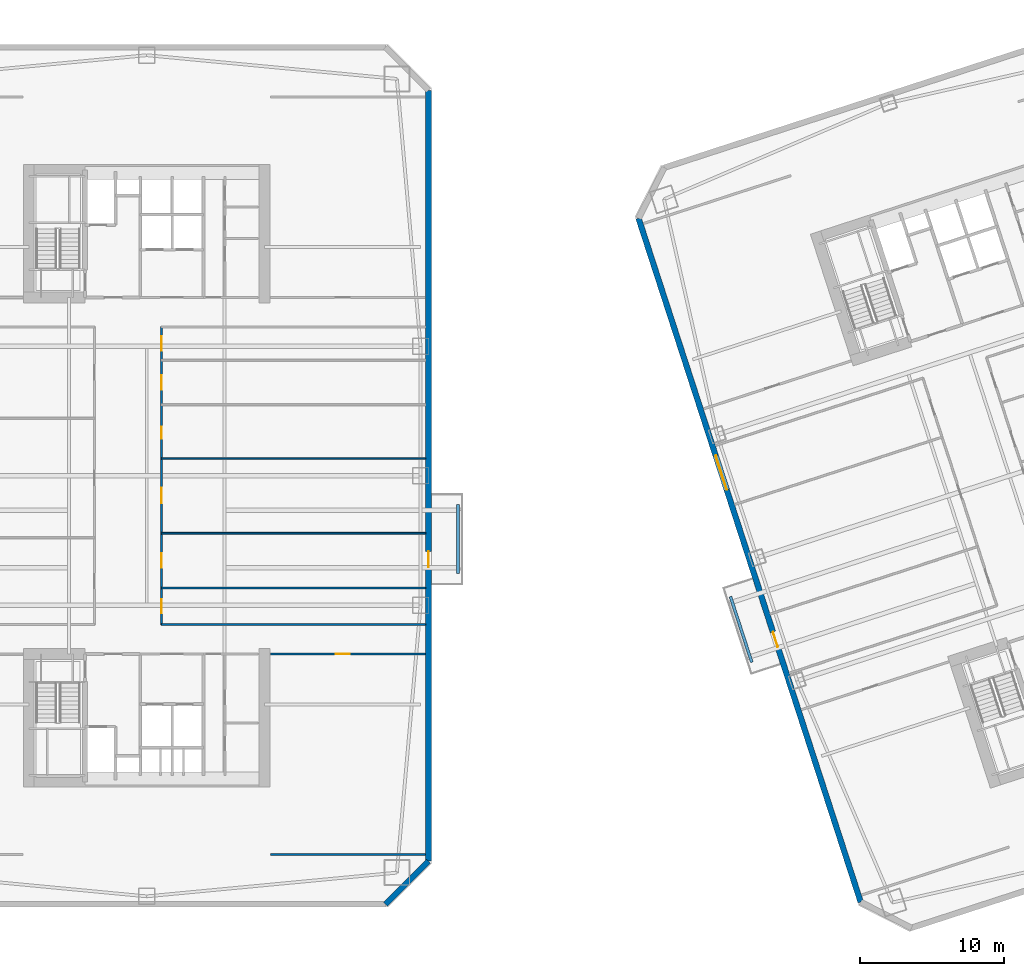
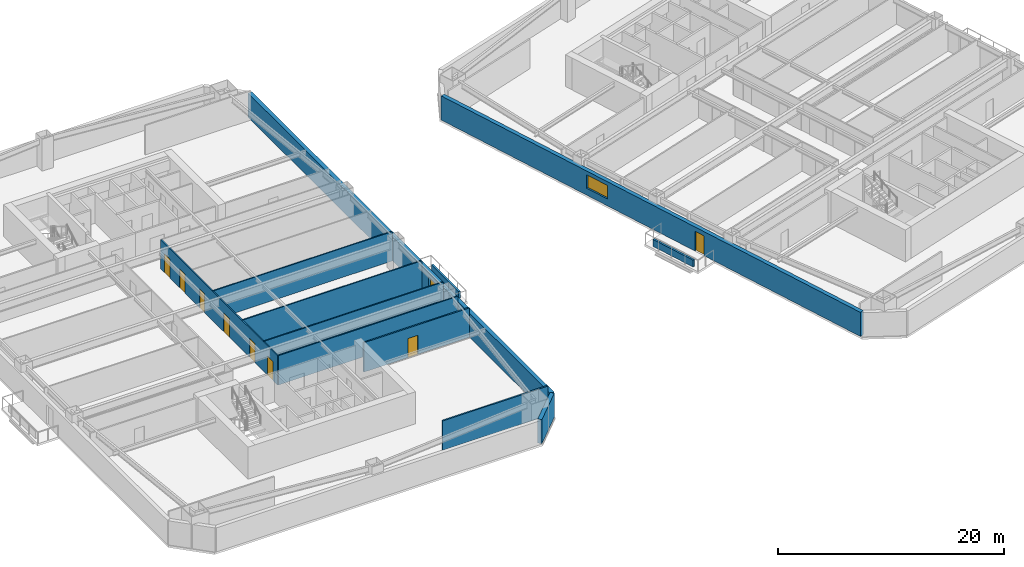
# One storey, part 5 of 15: 12 walls, 9 doors, 1 window, 10 openings.
"""IFC4 building model written with IfcOpenShell, lengths in metres."""

from ifc_helpers import new_model, si_unit, direction, frame, frame_2d, origin, place, context, subcontext, project, spatial, rectangle, extrude, material, layer, layer_set, type_object, element, fill, save


model = new_model("IFC4")

# Units and contexts
model_context = context("Model", 3, precision=1e-05, world=origin(), true_north=direction((0.0, 1.0)))
body_context = subcontext(model_context, "Body", "Model", "MODEL_VIEW")
ifc_project = project(units=[si_unit("LENGTHUNIT", "METRE"), si_unit("AREAUNIT", "SQUARE_METRE"), si_unit("VOLUMEUNIT", "CUBIC_METRE"), si_unit("PLANEANGLEUNIT", "RADIAN"), si_unit("MASSUNIT", "GRAM", prefix="KILO")], contexts=[model_context])

# Site, building, storey
site_placement = place(None, origin())
site = spatial("IfcSite", under=ifc_project, at=site_placement, CompositionType="ELEMENT")
building_placement = place(site_placement, origin())
building = spatial("IfcBuilding", under=site, at=building_placement, Name="Qiaolan Cultural Towers", CompositionType="ELEMENT")
storey_placement = place(building_placement, frame((0.0, 0.0, 60.949951171875)))
storey = spatial("IfcBuildingStorey", under=building, at=storey_placement, Name="L14", CompositionType="ELEMENT", Elevation=60.949951171875)

# Wall, opening, door
ifc_material_1 = material(Name="Precast Concrete C50 Honed Stone Pier", Category="masonry")
ifc_layer_1 = layer(ifc_material_1, 0.39990234375)
ifc_layer_set_1 = layer_set([ifc_layer_1], Name="Precast Concrete C50 Honed Stone Pier")
wall_type_1 = type_object("IfcWallType", Name="WL-EXT-PIER-400", PredefinedType="SOLIDWALL", material=ifc_layer_set_1)
wall_1_placement = place(storey_placement, frame((49.60009765625, 60.800048828125, 0.0), z_axis=(0.0, 0.0, 1.0), x_axis=(0.0, -1.0, 0.0)))
wall_1 = element("IfcWall", 1, at=wall_1_placement, inside=storey, type_object=wall_type_1, Name="L14 West Tower Precast Pier Facade Wall F5", PredefinedType="SOLIDWALL", context=body_context, shape_type="SweptSolid", body=[
    extrude(rectangle(XDim=53.60009765625, YDim=0.39990234375, at=frame_2d((26.800048828125, 0.0))), origin(), (0.0, 0.0, 1.0), 2.610107421875),
])
opening_1_placement = place(wall_1_placement, frame((32.050048828125, 0.0, 0.0)))
opening_1 = element("IfcOpeningElement", 2, at=opening_1_placement, cuts=wall_1, Name="Opening BD-01", PredefinedType="OPENING", context=body_context, shape_type="SweptSolid", body=[
    extrude(rectangle(XDim=1.10009765625, YDim=2.14990234375, at=frame_2d((0.550048828125, 1.074951171875))), frame((0.0, 0.2099609375, 0.0), z_axis=(0.0, -1.0, 0.0), x_axis=(1.0, 0.0, 0.0)), (0.0, 0.0, 1.0), 0.419921875),
])
ifc_material_2 = material(Name="Thermally Broken Aluminium Glazed Terrace Door", Category="aluminium")
door_type_1 = type_object("IfcDoorType", Name="DR-BAL-1100", OperationType="NOTDEFINED", PredefinedType="DOOR", material=ifc_material_2)
door_1_placement = place(opening_1_placement, origin())
door_1 = element("IfcDoor", 3, at=door_1_placement, inside=storey, type_object=door_type_1, Name="L14 T1 East Tree Balcony Door", OperationType="SINGLE_SWING_RIGHT", OverallHeight=2.14990234375, OverallWidth=1.10009765625, PredefinedType="DOOR", context=body_context, shape_type="SweptSolid", body=[
    extrude(rectangle(XDim=1.10009765625, YDim=2.14990234375, at=frame_2d((0.550048828125, 1.074951171875))), frame((0.0, 0.02490234375, 0.0), z_axis=(0.0, -1.0, 0.0), x_axis=(1.0, 0.0, 0.0)), (0.0, 0.0, 1.0), 0.050048828125),
])
fill(opening_1, door_1)

# Wall
wall_2_placement = place(storey_placement, frame((49.60009765625, 7.199951171875, 0.0), z_axis=(0.0, 0.0, 1.0), x_axis=(-0.707106781187, -0.707106781187, 0.0)))
element("IfcWall", 4, at=wall_2_placement, inside=storey, type_object=wall_type_1, Name="L14 West Tower Precast Pier Facade Wall F6", PredefinedType="SOLIDWALL", context=body_context, shape_type="SweptSolid", body=[
    extrude(rectangle(XDim=4.24267578125, YDim=0.39990234375, at=frame_2d((2.121337890625, 0.0))), origin(), (0.0, 0.0, 1.0), 2.610107421875),
])

# Wall, openings, door, window
wall_3_placement = place(storey_placement, frame((79.6552734375, 4.352294921875, 0.0), z_axis=(0.0, 0.0, 1.0), x_axis=(-0.309014526607, 0.951057318118, 0.0)))
wall_3 = element("IfcWall", 5, at=wall_3_placement, inside=storey, type_object=wall_type_1, Name="L14 East Tower Precast Pier Facade Wall F1", PredefinedType="SOLIDWALL", context=body_context, shape_type="SweptSolid", body=[
    extrude(rectangle(XDim=49.999755859375, YDim=0.39990234375, at=frame_2d((25.0, 0.0))), origin(), (0.0, 0.0, 1.0), 2.610107421875),
])
opening_2_placement = place(wall_3_placement, frame((30.14990234375, 0.0, 0.75)))
opening_2 = element("IfcOpeningElement", 6, at=opening_2_placement, cuts=wall_3, Name="Opening W-01", PredefinedType="OPENING", context=body_context, shape_type="SweptSolid", body=[
    extrude(rectangle(XDim=2.5, YDim=1.4599609375, at=frame_2d((1.25, 0.72998046875))), frame((0.0, 0.2099609375, 0.0), z_axis=(0.0, -1.0, 0.0), x_axis=(1.0, 0.0, 0.0)), (0.0, 0.0, 1.0), 0.419921875),
])
opening_3_placement = place(wall_3_placement, frame((18.64990234375, 0.0, 0.0)))
opening_3 = element("IfcOpeningElement", 7, at=opening_3_placement, cuts=wall_3, Name="Opening BD-01", PredefinedType="OPENING", context=body_context, shape_type="SweptSolid", body=[
    extrude(rectangle(XDim=1.10009765625, YDim=2.14990234375, at=frame_2d((0.550048828125, 1.074951171875))), frame((0.0, 0.2099609375, 0.0), z_axis=(0.0, -1.0, 0.0), x_axis=(1.0, 0.0, 0.0)), (0.0, 0.0, 1.0), 0.419921875),
])
door_2_placement = place(opening_3_placement, origin())
door_2 = element("IfcDoor", 8, at=door_2_placement, inside=storey, type_object=door_type_1, Name="L14 T2 West Tree Balcony Door", OperationType="SINGLE_SWING_LEFT", OverallHeight=2.14990234375, OverallWidth=1.10009765625, PredefinedType="DOOR", context=body_context, shape_type="SweptSolid", body=[
    extrude(rectangle(XDim=1.10009765625, YDim=2.14990234375, at=frame_2d((0.550048828125, 1.074951171875))), frame((0.0, 0.02490234375, 0.0), z_axis=(0.0, -1.0, 0.0), x_axis=(1.0, 0.0, 0.0)), (0.0, 0.0, 1.0), 0.050048828125),
])
fill(opening_3, door_2)
ifc_material_3 = material(Name="Thermally Broken Aluminium Triple Low-E Glazing", Category="aluminium")
window_type = type_object("IfcWindowType", Name="WN-CHIC-2500", PartitioningType="SINGLE_PANEL", PredefinedType="WINDOW", material=ifc_material_3)
window_placement = place(opening_2_placement, origin())
window = element("IfcWindow", 9, at=window_placement, inside=storey, type_object=window_type, Name="L14 T2 W Chicago Bay Window 1", OverallHeight=1.4599609375, OverallWidth=2.5, PartitioningType="TRIPLE_PANEL_VERTICAL", PredefinedType="WINDOW", context=body_context, shape_type="SweptSolid", body=[
    extrude(rectangle(XDim=2.5, YDim=1.4599609375, at=frame_2d((1.25, 0.72998046875))), frame((0.0, 0.030029296875, 0.0), z_axis=(0.0, -1.0, 0.0), x_axis=(1.0, 0.0, 0.0)), (0.0, 0.0, 1.0), 0.06005859375),
])
fill(opening_2, window)

# Wall
ifc_material_4 = material(Name="Gypsum Stud Acoustic Partition", Category="gypsum")
ifc_layer_2 = layer(ifc_material_4, 0.1201171875)
ifc_layer_set_2 = layer_set([ifc_layer_2], Name="Gypsum Stud Acoustic Partition")
wall_type_2 = type_object("IfcWallType", Name="WL-PART-120", PredefinedType="PARTITIONING", material=ifc_layer_set_2)
wall_4_placement = place(storey_placement, frame((31.02490234375, 23.64990234375, 0.0), z_axis=(0.0, 0.0, 1.0), x_axis=(1.0, 0.0, 0.0)))
element("IfcWall", 10, at=wall_4_placement, inside=storey, type_object=wall_type_2, Name="L14 T1 South Corridor Right Wall", PredefinedType="PARTITIONING", context=body_context, shape_type="SweptSolid", body=[
    extrude(rectangle(XDim=18.375, YDim=0.1201171875, at=frame_2d((9.1875, 0.0))), origin(), (0.0, 0.0, 1.0), 3.175048828125),
])

# Wall, openings, doors
wall_5_placement = place(storey_placement, frame((31.02490234375, 23.64990234375, 0.0), z_axis=(0.0, 0.0, 1.0), x_axis=(0.0, 1.0, 0.0)))
wall_5 = element("IfcWall", 11, at=wall_5_placement, inside=storey, type_object=wall_type_2, Name="L14 T1 East Spine Wall", PredefinedType="PARTITIONING", context=body_context, shape_type="SweptSolid", body=[
    extrude(rectangle(XDim=20.7001953125, YDim=0.1201171875, at=frame_2d((10.35009765625, 0.0))), origin(), (0.0, 0.0, 1.0), 3.175048828125),
])
opening_4_placement = place(wall_5_placement, frame((0.77490234375, 0.0, 0.0)))
opening_4 = element("IfcOpeningElement", 12, at=opening_4_placement, cuts=wall_5, Name="Opening ID-04", PredefinedType="OPENING", context=body_context, shape_type="SweptSolid", body=[
    extrude(rectangle(XDim=1.0, YDim=2.050048828125, at=frame_2d((0.5, 1.02490234375))), frame((0.0, 0.070068359375, 0.0), z_axis=(0.0, -1.0, 0.0), x_axis=(1.0, 0.0, 0.0)), (0.0, 0.0, 1.0), 0.14013671875),
])
opening_5_placement = place(wall_5_placement, frame((3.949951171875, 0.0, 0.0)))
opening_5 = element("IfcOpeningElement", 13, at=opening_5_placement, cuts=wall_5, Name="Opening ID-04", PredefinedType="OPENING", context=body_context, shape_type="SweptSolid", body=[
    extrude(rectangle(XDim=1.0, YDim=2.050048828125, at=frame_2d((0.5, 1.02490234375))), frame((0.0, 0.070068359375, 0.0), z_axis=(0.0, -1.0, 0.0), x_axis=(1.0, 0.0, 0.0)), (0.0, 0.0, 1.0), 0.14013671875),
])
opening_6_placement = place(wall_5_placement, frame((8.455078125, 0.0, 0.0)))
opening_6 = element("IfcOpeningElement", 14, at=opening_6_placement, cuts=wall_5, Name="Opening ID-07", PredefinedType="OPENING", context=body_context, shape_type="SweptSolid", body=[
    extrude(rectangle(XDim=1.050048828125, YDim=2.050048828125, at=frame_2d((0.52490234375, 1.02490234375))), frame((0.0, 0.070068359375, 0.0), z_axis=(0.0, -1.0, 0.0), x_axis=(1.0, 0.0, 0.0)), (0.0, 0.0, 1.0), 0.14013671875),
])
opening_7_placement = place(wall_5_placement, frame((12.923095703125, 0.0, 0.0)))
opening_7 = element("IfcOpeningElement", 15, at=opening_7_placement, cuts=wall_5, Name="Opening ID-09", PredefinedType="OPENING", context=body_context, shape_type="SweptSolid", body=[
    extrude(rectangle(XDim=0.85009765625, YDim=2.050048828125, at=frame_2d((0.425048828125, 1.02490234375))), frame((0.0, 0.070068359375, 0.0), z_axis=(0.0, -1.0, 0.0), x_axis=(1.0, 0.0, 0.0)), (0.0, 0.0, 1.0), 0.14013671875),
])
opening_8_placement = place(wall_5_placement, frame((16.33837890625, 0.0, 0.0)))
opening_8 = element("IfcOpeningElement", 16, at=opening_8_placement, cuts=wall_5, Name="Opening ID-04", PredefinedType="OPENING", context=body_context, shape_type="SweptSolid", body=[
    extrude(rectangle(XDim=1.0, YDim=2.050048828125, at=frame_2d((0.5, 1.02490234375))), frame((0.0, 0.070068359375, 0.0), z_axis=(0.0, -1.0, 0.0), x_axis=(1.0, 0.0, 0.0)), (0.0, 0.0, 1.0), 0.14013671875),
])
opening_9_placement = place(wall_5_placement, frame((19.04541015625, 0.0, 0.0)))
opening_9 = element("IfcOpeningElement", 17, at=opening_9_placement, cuts=wall_5, Name="Opening ID-04", PredefinedType="OPENING", context=body_context, shape_type="SweptSolid", body=[
    extrude(rectangle(XDim=1.0, YDim=2.050048828125, at=frame_2d((0.5, 1.02490234375))), frame((0.0, 0.070068359375, 0.0), z_axis=(0.0, -1.0, 0.0), x_axis=(1.0, 0.0, 0.0)), (0.0, 0.0, 1.0), 0.14013671875),
])
ifc_material_5 = material(Name="Oak Veneer Acoustic Office Door", Category="timber")
door_type_2 = type_object("IfcDoorType", Name="DR-INT-1000", OperationType="NOTDEFINED", PredefinedType="DOOR", material=ifc_material_5)
door_3_placement = place(opening_4_placement, origin())
door_3 = element("IfcDoor", 18, at=door_3_placement, inside=storey, type_object=door_type_2, Name="L14 T1 Architecture Studio Door", OperationType="SINGLE_SWING_RIGHT", OverallHeight=2.050048828125, OverallWidth=1.0, PredefinedType="DOOR", context=body_context, shape_type="SweptSolid", body=[
    extrude(rectangle(XDim=1.0, YDim=2.050048828125, at=frame_2d((0.5, 1.02490234375))), frame((0.0, 0.02490234375, 0.0), z_axis=(0.0, -1.0, 0.0), x_axis=(1.0, 0.0, 0.0)), (0.0, 0.0, 1.0), 0.050048828125),
])
fill(opening_4, door_3)
door_4_placement = place(opening_5_placement, origin())
door_4 = element("IfcDoor", 19, at=door_4_placement, inside=storey, type_object=door_type_2, Name="L14 T1 Architecture Studio Door", OperationType="SINGLE_SWING_LEFT", OverallHeight=2.050048828125, OverallWidth=1.0, PredefinedType="DOOR", context=body_context, shape_type="SweptSolid", body=[
    extrude(rectangle(XDim=1.0, YDim=2.050048828125, at=frame_2d((0.5, 1.02490234375))), frame((0.0, 0.02490234375, 0.0), z_axis=(0.0, -1.0, 0.0), x_axis=(1.0, 0.0, 0.0)), (0.0, 0.0, 1.0), 0.050048828125),
])
fill(opening_5, door_4)
door_5_placement = place(opening_8_placement, origin())
door_5 = element("IfcDoor", 20, at=door_5_placement, inside=storey, type_object=door_type_2, Name="L14 T1 Model Workshop Door", OperationType="SINGLE_SWING_RIGHT", OverallHeight=2.050048828125, OverallWidth=1.0, PredefinedType="DOOR", context=body_context, shape_type="SweptSolid", body=[
    extrude(rectangle(XDim=1.0, YDim=2.050048828125, at=frame_2d((0.5, 1.02490234375))), frame((0.0, 0.02490234375, 0.0), z_axis=(0.0, -1.0, 0.0), x_axis=(1.0, 0.0, 0.0)), (0.0, 0.0, 1.0), 0.050048828125),
])
fill(opening_8, door_5)
door_6_placement = place(opening_9_placement, origin())
door_6 = element("IfcDoor", 21, at=door_6_placement, inside=storey, type_object=door_type_2, Name="L14 T1 Espresso Pantry Door", OperationType="SINGLE_SWING_LEFT", OverallHeight=2.050048828125, OverallWidth=1.0, PredefinedType="DOOR", context=body_context, shape_type="SweptSolid", body=[
    extrude(rectangle(XDim=1.0, YDim=2.050048828125, at=frame_2d((0.5, 1.02490234375))), frame((0.0, 0.02490234375, 0.0), z_axis=(0.0, -1.0, 0.0), x_axis=(1.0, 0.0, 0.0)), (0.0, 0.0, 1.0), 0.050048828125),
])
fill(opening_9, door_6)
ifc_material_6 = material(Name="Oak Veneer Consultation Door", Category="timber")
door_type_3 = type_object("IfcDoorType", Name="DR-INT-1050", OperationType="NOTDEFINED", PredefinedType="DOOR", material=ifc_material_6)
door_7_placement = place(opening_6_placement, origin())
door_7 = element("IfcDoor", 22, at=door_7_placement, inside=storey, type_object=door_type_3, Name="L14 T1 Architecture Studio Door", OperationType="SINGLE_SWING_RIGHT", OverallHeight=2.050048828125, OverallWidth=1.050048828125, PredefinedType="DOOR", context=body_context, shape_type="SweptSolid", body=[
    extrude(rectangle(XDim=1.050048828125, YDim=2.050048828125, at=frame_2d((0.52490234375, 1.02490234375))), frame((0.0, 0.02490234375, 0.0), z_axis=(0.0, -1.0, 0.0), x_axis=(1.0, 0.0, 0.0)), (0.0, 0.0, 1.0), 0.050048828125),
])
fill(opening_6, door_7)
ifc_material_7 = material(Name="Moisture-Resistant Laminate Utility Door", Category="timber")
door_type_4 = type_object("IfcDoorType", Name="DR-INT-850", OperationType="NOTDEFINED", PredefinedType="DOOR", material=ifc_material_7)
door_8_placement = place(opening_7_placement, origin())
door_8 = element("IfcDoor", 23, at=door_8_placement, inside=storey, type_object=door_type_4, Name="L14 T1 Architecture Studio Door", OperationType="SINGLE_SWING_LEFT", OverallHeight=2.050048828125, OverallWidth=0.85009765625, PredefinedType="DOOR", context=body_context, shape_type="SweptSolid", body=[
    extrude(rectangle(XDim=0.85009765625, YDim=2.050048828125, at=frame_2d((0.425048828125, 1.02490234375))), frame((0.0, 0.02490234375, 0.0), z_axis=(0.0, -1.0, 0.0), x_axis=(1.0, 0.0, 0.0)), (0.0, 0.0, 1.0), 0.050048828125),
])
fill(opening_7, door_8)

# Walls
for number, where, z_axis, x_axis, name in (
    (24, (31.02490234375, 26.199951171875, 0.0), (0.0, 0.0, 1.0), (1.0, 0.0, 0.0), "L14 T1 East Partition 1"),
    (25, (31.02490234375, 30.0, 0.0), (0.0, 0.0, 1.0), (1.0, 0.0, 0.0), "L14 T1 East Partition 2"),
    (26, (31.02490234375, 35.2099609375, 0.0), (0.0, 0.0, 1.0), (1.0, 0.0, 0.0), "L14 T1 East Partition 3"),
):
    element("IfcWall", number, at=place(storey_placement, frame(where, z_axis=z_axis, x_axis=x_axis)), inside=storey, type_object=wall_type_2, Name=name, PredefinedType="PARTITIONING", context=body_context, shape_type="SweptSolid", body=[
        extrude(rectangle(XDim=18.375, YDim=0.1201171875, at=frame_2d((9.1875, 0.0))), origin(), (0.0, 0.0, 1.0), 3.175048828125),
    ])
ifc_material_8 = material(Name="Autoclaved Aerated Concrete Block B06", Category="concrete")
ifc_layer_3 = layer(ifc_material_8, 0.14990234375)
ifc_layer_set_3 = layer_set([ifc_layer_3], Name="Autoclaved Aerated Concrete Block B06")
wall_type_3 = type_object("IfcWallType", Name="WL-PART-150", PredefinedType="PARTITIONING", material=ifc_layer_set_3)
wall_6_placement = place(storey_placement, frame((38.60009765625, 7.64990234375, 0.0), z_axis=(0.0, 0.0, 1.0), x_axis=(1.0, 0.0, 0.0)))
element("IfcWall", 27, at=wall_6_placement, inside=storey, type_object=wall_type_3, Name="L14 T1 Flank Wall FLK-SE", PredefinedType="PARTITIONING", context=body_context, shape_type="SweptSolid", body=[
    extrude(rectangle(XDim=10.7998046875, YDim=0.14990234375, at=frame_2d((5.39990234375, 0.0))), origin(), (0.0, 0.0, 1.0), 3.175048828125),
])

# Wall, opening, door
wall_7_placement = place(storey_placement, frame((38.60009765625, 21.60009765625, 0.0), z_axis=(0.0, 0.0, 1.0), x_axis=(1.0, 0.0, 0.0)))
wall_7 = element("IfcWall", 28, at=wall_7_placement, inside=storey, type_object=wall_type_3, Name="L14 T1 Flank Front FLK-SE", PredefinedType="PARTITIONING", context=body_context, shape_type="SweptSolid", body=[
    extrude(rectangle(XDim=10.7998046875, YDim=0.14990234375, at=frame_2d((5.39990234375, 0.0))), origin(), (0.0, 0.0, 1.0), 3.175048828125),
])
opening_10_placement = place(wall_7_placement, frame((4.535888671875, 0.0, 0.0)))
opening_10 = element("IfcOpeningElement", 29, at=opening_10_placement, cuts=wall_7, Name="Opening ID-04", PredefinedType="OPENING", context=body_context, shape_type="SweptSolid", body=[
    extrude(rectangle(XDim=1.0, YDim=2.050048828125, at=frame_2d((0.5, 1.02490234375))), frame((0.0, 0.0849609375, 0.0), z_axis=(0.0, -1.0, 0.0), x_axis=(1.0, 0.0, 0.0)), (0.0, 0.0, 1.0), 0.169921875),
])
door_9_placement = place(opening_10_placement, origin())
door_9 = element("IfcDoor", 30, at=door_9_placement, inside=storey, type_object=door_type_2, Name="L14 T1 Corner Studio Door", OperationType="SINGLE_SWING_LEFT", OverallHeight=2.050048828125, OverallWidth=1.0, PredefinedType="DOOR", context=body_context, shape_type="SweptSolid", body=[
    extrude(rectangle(XDim=1.0, YDim=2.050048828125, at=frame_2d((0.5, 1.02490234375))), frame((0.0, 0.02490234375, 0.0), z_axis=(0.0, -1.0, 0.0), x_axis=(1.0, 0.0, 0.0)), (0.0, 0.0, 1.0), 0.050048828125),
])
fill(opening_10, door_9)

# Walls
ifc_material_9 = material(Name="Precast Concrete C45 Tree Planter Upstand", Category="concrete")
ifc_layer_4 = layer(ifc_material_9, 0.199951171875)
ifc_layer_set_4 = layer_set([ifc_layer_4], Name="Precast Concrete C45 Tree Planter Upstand")
wall_type_4 = type_object("IfcWallType", Name="WL-PLANTER-200", PredefinedType="PARAPET", material=ifc_layer_set_4)
wall_8_placement = place(storey_placement, frame((51.64990234375, 27.199951171875, 0.0), z_axis=(0.0, 0.0, 1.0), x_axis=(0.0, 1.0, 0.0)))
element("IfcWall", 31, at=wall_8_placement, inside=storey, type_object=wall_type_4, Name="L14 T1 Tree Balcony Soil Planter Box E", PredefinedType="PARAPET", context=body_context, shape_type="SweptSolid", body=[
    extrude(rectangle(XDim=4.800048828125, YDim=0.199951171875, at=frame_2d((2.39990234375, 0.0))), origin(), (0.0, 0.0, 1.0), 0.75),
])
wall_9_placement = place(storey_placement, frame((72.08154296875, 21.028076171875, 0.0), z_axis=(0.0, 0.0, 1.0), x_axis=(-0.30900096172, 0.951061725471, 0.0)))
element("IfcWall", 32, at=wall_9_placement, inside=storey, type_object=wall_type_4, Name="L14 T2 Tree Balcony Soil Planter Box W", PredefinedType="PARAPET", context=body_context, shape_type="SweptSolid", body=[
    extrude(rectangle(XDim=4.7998046875, YDim=0.199951171875, at=frame_2d((2.39990234375, 0.0))), origin(), (0.0, 0.0, 1.0), 0.75),
])

save(model, "model.ifc")
